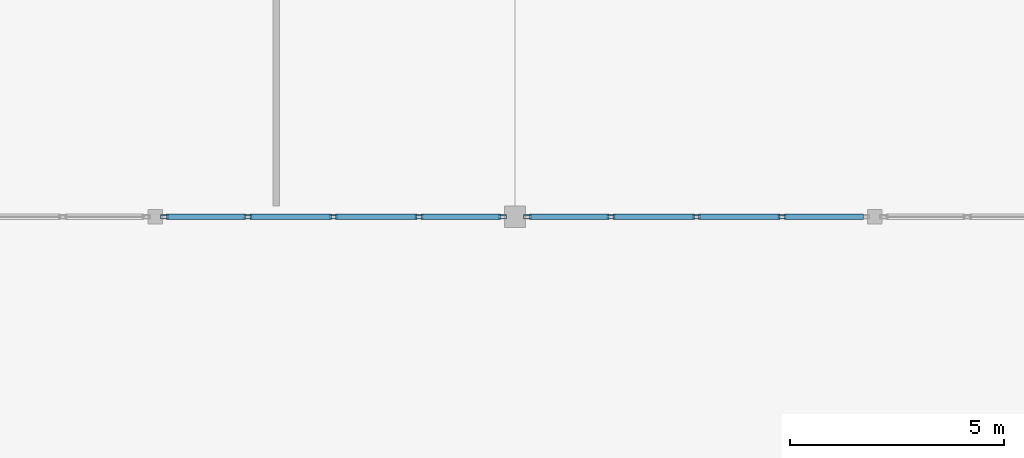
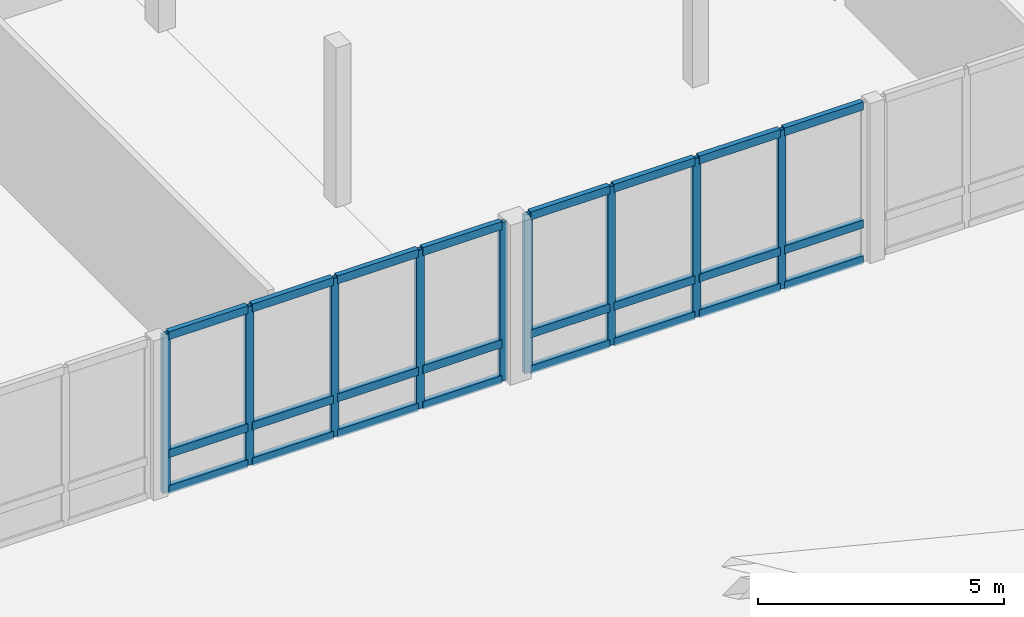
# One storey, part 42 of 217: 33 members, 2 elements without a shape of their own.
"""IFC4 building model written with IfcOpenShell, lengths in metres."""

from ifc_helpers import new_model, si_unit, direction, frame, origin, origin_2d, place, context, subcontext, project, spatial, hollow_rectangle, extrude, material, layer, layer_set, material_profile, profile_set, type_object, element, aggregate, save


model = new_model("IFC4")

# Units and contexts
model_context = context("Model", 3, precision=1e-05, world=origin(), true_north=direction((0.0, 1.0)))
body_context = subcontext(model_context, "Body", "Model", "MODEL_VIEW")
ifc_project = project(units=[si_unit("LENGTHUNIT", "METRE"), si_unit("AREAUNIT", "SQUARE_METRE"), si_unit("VOLUMEUNIT", "CUBIC_METRE"), si_unit("PLANEANGLEUNIT", "RADIAN"), si_unit("MASSUNIT", "GRAM", prefix="KILO")], contexts=[model_context])

# Site, building, storey
site_placement = place(None, origin())
site = spatial("IfcSite", under=ifc_project, at=site_placement, CompositionType="ELEMENT")
building_placement = place(site_placement, origin())
building = spatial("IfcBuilding", under=site, at=building_placement, Name="Mazaris Harbour Polytechnic", CompositionType="ELEMENT")
storey_placement = place(building_placement, frame((0.0, 0.0, 9.60009765625)))
storey = spatial("IfcBuildingStorey", under=building, at=storey_placement, Name="L02", CompositionType="ELEMENT", Elevation=9.60009765625)

# Curtain wall, members
ifc_material_1 = material(Name="Anodised Bronze Aluminium and Low-E Glass", Category="aluminium")
ifc_layer = layer(ifc_material_1, 0.179931640625, Name="Anodised Bronze Aluminium and Low-E Glass")
ifc_layer_set = layer_set([ifc_layer], Name="Anodised Bronze Aluminium and Low-E Glass")
curtain_wall_type = type_object("IfcCurtainWallType", Name="Harbour Colonnade Curtain Wall", PredefinedType="NOTDEFINED", material=ifc_layer_set)
curtain_wall_1_placement = place(storey_placement, origin())
curtain_wall_1 = element("IfcCurtainWall", 1, at=curtain_wall_1_placement, inside=storey, type_object=curtain_wall_type, Name="V3 L02 Curtain Wall 82", PredefinedType="NOTDEFINED")
ifc_material_2 = material(Name="Anodised Bronze Steel S355", Category="steel")
ifc_material_profile_1 = material_profile(ifc_material_2, hollow_rectangle(XDim=0.10009765625, YDim=0.179931640625, WallThickness=0.008056640625, at=origin_2d()), Name="RHS 100x180x8.0")
ifc_profile_set_1 = profile_set([ifc_material_profile_1], Name="Anodised Bronze Steel S355")
member_type_1 = type_object("IfcMemberType", Name="Curtain Mullion RHS100x180", PredefinedType="MULLION", material=ifc_profile_set_1)
member_1_placement = place(storey_placement, frame((87.30810546875, 14.39990234375, 0.0), z_axis=(0.0, 0.0, 1.0), x_axis=(0.0, -1.0, 0.0)))
member_1 = element("IfcMember", 2, at=member_1_placement, type_object=member_type_1, Name="CW-01 mullion 1", PredefinedType="MULLION", context=body_context, shape_type="SweptSolid", body=[
    extrude(hollow_rectangle(XDim=0.10009765625, YDim=0.179931640625, WallThickness=0.008056640625, at=origin_2d()), origin(), (0.0, 0.0, 1.0), 3.934814453125),
])
member_2_placement = place(storey_placement, frame((85.35888671875, 14.39990234375, 0.0), z_axis=(0.0, 0.0, 1.0), x_axis=(0.0, -1.0, 0.0)))
member_2 = element("IfcMember", 3, at=member_2_placement, type_object=member_type_1, Name="CW-01 mullion 2", PredefinedType="MULLION", context=body_context, shape_type="SweptSolid", body=[
    extrude(hollow_rectangle(XDim=0.10009765625, YDim=0.179931640625, WallThickness=0.008056640625, at=origin_2d()), origin(), (0.0, 0.0, 1.0), 3.934814453125),
])
member_3_placement = place(storey_placement, frame((83.360107421875, 14.39990234375, 0.0), z_axis=(0.0, 0.0, 1.0), x_axis=(0.0, -1.0, 0.0)))
member_3 = element("IfcMember", 4, at=member_3_placement, type_object=member_type_1, Name="CW-01 mullion 3", PredefinedType="MULLION", context=body_context, shape_type="SweptSolid", body=[
    extrude(hollow_rectangle(XDim=0.10009765625, YDim=0.179931640625, WallThickness=0.008056640625, at=origin_2d()), origin(), (0.0, 0.0, 1.0), 3.934814453125),
])
member_4_placement = place(storey_placement, frame((81.361083984375, 14.39990234375, 0.0), z_axis=(0.0, 0.0, 1.0), x_axis=(0.0, -1.0, 0.0)))
member_4 = element("IfcMember", 5, at=member_4_placement, type_object=member_type_1, Name="CW-01 mullion 4", PredefinedType="MULLION", context=body_context, shape_type="SweptSolid", body=[
    extrude(hollow_rectangle(XDim=0.10009765625, YDim=0.179931640625, WallThickness=0.008056640625, at=origin_2d()), origin(), (0.0, 0.0, 1.0), 3.934814453125),
])
member_5_placement = place(storey_placement, frame((79.412109375, 14.39990234375, 0.0), z_axis=(0.0, 0.0, 1.0), x_axis=(0.0, -1.0, 0.0)))
member_5 = element("IfcMember", 6, at=member_5_placement, type_object=member_type_1, Name="CW-01 mullion 5", PredefinedType="MULLION", context=body_context, shape_type="SweptSolid", body=[
    extrude(hollow_rectangle(XDim=0.10009765625, YDim=0.179931640625, WallThickness=0.008056640625, at=origin_2d()), origin(), (0.0, 0.0, 1.0), 3.934814453125),
])

curtain_wall_2_placement = place(storey_placement, origin())
curtain_wall_2 = element("IfcCurtainWall", 7, at=curtain_wall_2_placement, inside=storey, type_object=curtain_wall_type, Name="V3 L02 Curtain Wall 83", PredefinedType="NOTDEFINED")
member_6_placement = place(storey_placement, frame((93.839111328125, 14.39990234375, 0.0), z_axis=(0.0, 0.0, 1.0), x_axis=(0.0, -1.0, 0.0)))
member_6 = element("IfcMember", 8, at=member_6_placement, type_object=member_type_1, Name="CW-01 mullion 2", PredefinedType="MULLION", context=body_context, shape_type="SweptSolid", body=[
    extrude(hollow_rectangle(XDim=0.10009765625, YDim=0.179931640625, WallThickness=0.008056640625, at=origin_2d()), origin(), (0.0, 0.0, 1.0), 3.934814453125),
])
member_7_placement = place(storey_placement, frame((91.840087890625, 14.39990234375, 0.0), z_axis=(0.0, 0.0, 1.0), x_axis=(0.0, -1.0, 0.0)))
member_7 = element("IfcMember", 9, at=member_7_placement, type_object=member_type_1, Name="CW-01 mullion 3", PredefinedType="MULLION", context=body_context, shape_type="SweptSolid", body=[
    extrude(hollow_rectangle(XDim=0.10009765625, YDim=0.179931640625, WallThickness=0.008056640625, at=origin_2d()), origin(), (0.0, 0.0, 1.0), 3.934814453125),
])
member_8_placement = place(storey_placement, frame((89.841064453125, 14.39990234375, 0.0), z_axis=(0.0, 0.0, 1.0), x_axis=(0.0, -1.0, 0.0)))
member_8 = element("IfcMember", 10, at=member_8_placement, type_object=member_type_1, Name="CW-01 mullion 4", PredefinedType="MULLION", context=body_context, shape_type="SweptSolid", body=[
    extrude(hollow_rectangle(XDim=0.10009765625, YDim=0.179931640625, WallThickness=0.008056640625, at=origin_2d()), origin(), (0.0, 0.0, 1.0), 3.934814453125),
])
member_9_placement = place(storey_placement, frame((87.89208984375, 14.39990234375, 0.0), z_axis=(0.0, 0.0, 1.0), x_axis=(0.0, -1.0, 0.0)))
member_9 = element("IfcMember", 11, at=member_9_placement, type_object=member_type_1, Name="CW-01 mullion 5", PredefinedType="MULLION", context=body_context, shape_type="SweptSolid", body=[
    extrude(hollow_rectangle(XDim=0.10009765625, YDim=0.179931640625, WallThickness=0.008056640625, at=origin_2d()), origin(), (0.0, 0.0, 1.0), 3.934814453125),
])

# Member
ifc_material_3 = material(Name="Anodised Bronze Steel S355", Category="steel")
ifc_material_profile_2 = material_profile(ifc_material_3, hollow_rectangle(XDim=0.1201171875, YDim=0.199951171875, WallThickness=0.008056640625, at=origin_2d()), Name="RHS 120x200x8.0")
ifc_profile_set_2 = profile_set([ifc_material_profile_2], Name="Anodised Bronze Steel S355")
member_type_2 = type_object("IfcMemberType", Name="Curtain Transom RHS120x200", PredefinedType="USERDEFINED", material=ifc_profile_set_2)
member_10_placement = place(storey_placement, frame((87.258056640625, 14.39990234375, 0.059814453125), z_axis=(-1.0, 0.0, 0.0), x_axis=(0.0, -1.0, 0.0)))
member_10 = element("IfcMember", 12, at=member_10_placement, type_object=member_type_2, Name="CW-01 transom 1.1", ObjectType="TRANSOM", PredefinedType="USERDEFINED", context=body_context, shape_type="SweptSolid", body=[
    extrude(hollow_rectangle(XDim=0.1201171875, YDim=0.199951171875, WallThickness=0.008056640625, at=origin_2d()), origin(), (0.0, 0.0, 1.0), 1.84912109375),
])

member_11_placement = place(storey_placement, frame((87.258056640625, 14.39990234375, 0.949951171875), z_axis=(-1.0, 0.0, 0.0), x_axis=(0.0, -1.0, 0.0)))
member_11 = element("IfcMember", 13, at=member_11_placement, type_object=member_type_2, Name="CW-01 transom 1.2", ObjectType="TRANSOM", PredefinedType="USERDEFINED", context=body_context, shape_type="SweptSolid", body=[
    extrude(hollow_rectangle(XDim=0.1201171875, YDim=0.199951171875, WallThickness=0.008056640625, at=origin_2d()), origin(), (0.0, 0.0, 1.0), 1.84912109375),
])

member_12_placement = place(storey_placement, frame((87.258056640625, 14.39990234375, 3.875), z_axis=(-1.0, 0.0, 0.0), x_axis=(0.0, -1.0, 0.0)))
member_12 = element("IfcMember", 14, at=member_12_placement, type_object=member_type_2, Name="CW-01 transom 1.3", ObjectType="TRANSOM", PredefinedType="USERDEFINED", context=body_context, shape_type="SweptSolid", body=[
    extrude(hollow_rectangle(XDim=0.1201171875, YDim=0.199951171875, WallThickness=0.008056640625, at=origin_2d()), origin(), (0.0, 0.0, 1.0), 1.84912109375),
])

member_13_placement = place(storey_placement, frame((85.30908203125, 14.39990234375, 0.059814453125), z_axis=(-1.0, 0.0, 0.0), x_axis=(0.0, -1.0, 0.0)))
member_13 = element("IfcMember", 15, at=member_13_placement, type_object=member_type_2, Name="CW-01 transom 2.1", ObjectType="TRANSOM", PredefinedType="USERDEFINED", context=body_context, shape_type="SweptSolid", body=[
    extrude(hollow_rectangle(XDim=0.1201171875, YDim=0.199951171875, WallThickness=0.008056640625, at=origin_2d()), origin(), (0.0, 0.0, 1.0), 1.899169921875),
])

member_14_placement = place(storey_placement, frame((85.30908203125, 14.39990234375, 0.949951171875), z_axis=(-1.0, 0.0, 0.0), x_axis=(0.0, -1.0, 0.0)))
member_14 = element("IfcMember", 16, at=member_14_placement, type_object=member_type_2, Name="CW-01 transom 2.2", ObjectType="TRANSOM", PredefinedType="USERDEFINED", context=body_context, shape_type="SweptSolid", body=[
    extrude(hollow_rectangle(XDim=0.1201171875, YDim=0.199951171875, WallThickness=0.008056640625, at=origin_2d()), origin(), (0.0, 0.0, 1.0), 1.899169921875),
])

member_15_placement = place(storey_placement, frame((85.30908203125, 14.39990234375, 3.875), z_axis=(-1.0, 0.0, 0.0), x_axis=(0.0, -1.0, 0.0)))
member_15 = element("IfcMember", 17, at=member_15_placement, type_object=member_type_2, Name="CW-01 transom 2.3", ObjectType="TRANSOM", PredefinedType="USERDEFINED", context=body_context, shape_type="SweptSolid", body=[
    extrude(hollow_rectangle(XDim=0.1201171875, YDim=0.199951171875, WallThickness=0.008056640625, at=origin_2d()), origin(), (0.0, 0.0, 1.0), 1.899169921875),
])

member_16_placement = place(storey_placement, frame((83.31005859375, 14.39990234375, 0.059814453125), z_axis=(-1.0, 0.0, 0.0), x_axis=(0.0, -1.0, 0.0)))
member_16 = element("IfcMember", 18, at=member_16_placement, type_object=member_type_2, Name="CW-01 transom 3.1", ObjectType="TRANSOM", PredefinedType="USERDEFINED", context=body_context, shape_type="SweptSolid", body=[
    extrude(hollow_rectangle(XDim=0.1201171875, YDim=0.199951171875, WallThickness=0.008056640625, at=origin_2d()), origin(), (0.0, 0.0, 1.0), 1.899169921875),
])

member_17_placement = place(storey_placement, frame((83.31005859375, 14.39990234375, 0.949951171875), z_axis=(-1.0, 0.0, 0.0), x_axis=(0.0, -1.0, 0.0)))
member_17 = element("IfcMember", 19, at=member_17_placement, type_object=member_type_2, Name="CW-01 transom 3.2", ObjectType="TRANSOM", PredefinedType="USERDEFINED", context=body_context, shape_type="SweptSolid", body=[
    extrude(hollow_rectangle(XDim=0.1201171875, YDim=0.199951171875, WallThickness=0.008056640625, at=origin_2d()), origin(), (0.0, 0.0, 1.0), 1.899169921875),
])

member_18_placement = place(storey_placement, frame((83.31005859375, 14.39990234375, 3.875), z_axis=(-1.0, 0.0, 0.0), x_axis=(0.0, -1.0, 0.0)))
member_18 = element("IfcMember", 20, at=member_18_placement, type_object=member_type_2, Name="CW-01 transom 3.3", ObjectType="TRANSOM", PredefinedType="USERDEFINED", context=body_context, shape_type="SweptSolid", body=[
    extrude(hollow_rectangle(XDim=0.1201171875, YDim=0.199951171875, WallThickness=0.008056640625, at=origin_2d()), origin(), (0.0, 0.0, 1.0), 1.899169921875),
])

member_19_placement = place(storey_placement, frame((81.31103515625, 14.39990234375, 0.059814453125), z_axis=(-1.0, 0.0, 0.0), x_axis=(0.0, -1.0, 0.0)))
member_19 = element("IfcMember", 21, at=member_19_placement, type_object=member_type_2, Name="CW-01 transom 4.1", ObjectType="TRANSOM", PredefinedType="USERDEFINED", context=body_context, shape_type="SweptSolid", body=[
    extrude(hollow_rectangle(XDim=0.1201171875, YDim=0.199951171875, WallThickness=0.008056640625, at=origin_2d()), origin(), (0.0, 0.0, 1.0), 1.84912109375),
])

member_20_placement = place(storey_placement, frame((81.31103515625, 14.39990234375, 0.949951171875), z_axis=(-1.0, 0.0, 0.0), x_axis=(0.0, -1.0, 0.0)))
member_20 = element("IfcMember", 22, at=member_20_placement, type_object=member_type_2, Name="CW-01 transom 4.2", ObjectType="TRANSOM", PredefinedType="USERDEFINED", context=body_context, shape_type="SweptSolid", body=[
    extrude(hollow_rectangle(XDim=0.1201171875, YDim=0.199951171875, WallThickness=0.008056640625, at=origin_2d()), origin(), (0.0, 0.0, 1.0), 1.84912109375),
])

member_21_placement = place(storey_placement, frame((81.31103515625, 14.39990234375, 3.875), z_axis=(-1.0, 0.0, 0.0), x_axis=(0.0, -1.0, 0.0)))
member_21 = element("IfcMember", 23, at=member_21_placement, type_object=member_type_2, Name="CW-01 transom 4.3", ObjectType="TRANSOM", PredefinedType="USERDEFINED", context=body_context, shape_type="SweptSolid", body=[
    extrude(hollow_rectangle(XDim=0.1201171875, YDim=0.199951171875, WallThickness=0.008056640625, at=origin_2d()), origin(), (0.0, 0.0, 1.0), 1.84912109375),
])

aggregate(curtain_wall_1, [member_1, member_2, member_3, member_4, member_5, member_10, member_11, member_12, member_13, member_14, member_15, member_16, member_17, member_18, member_19, member_20, member_21])

member_22_placement = place(storey_placement, frame((95.738037109375, 14.39990234375, 0.059814453125), z_axis=(-1.0, 0.0, 0.0), x_axis=(0.0, -1.0, 0.0)))
member_22 = element("IfcMember", 24, at=member_22_placement, type_object=member_type_2, Name="CW-01 transom 1.1", ObjectType="TRANSOM", PredefinedType="USERDEFINED", context=body_context, shape_type="SweptSolid", body=[
    extrude(hollow_rectangle(XDim=0.1201171875, YDim=0.199951171875, WallThickness=0.008056640625, at=origin_2d()), origin(), (0.0, 0.0, 1.0), 1.84912109375),
])

member_23_placement = place(storey_placement, frame((95.738037109375, 14.39990234375, 0.949951171875), z_axis=(-1.0, 0.0, 0.0), x_axis=(0.0, -1.0, 0.0)))
member_23 = element("IfcMember", 25, at=member_23_placement, type_object=member_type_2, Name="CW-01 transom 1.2", ObjectType="TRANSOM", PredefinedType="USERDEFINED", context=body_context, shape_type="SweptSolid", body=[
    extrude(hollow_rectangle(XDim=0.1201171875, YDim=0.199951171875, WallThickness=0.008056640625, at=origin_2d()), origin(), (0.0, 0.0, 1.0), 1.84912109375),
])

member_24_placement = place(storey_placement, frame((95.738037109375, 14.39990234375, 3.875), z_axis=(-1.0, 0.0, 0.0), x_axis=(0.0, -1.0, 0.0)))
member_24 = element("IfcMember", 26, at=member_24_placement, type_object=member_type_2, Name="CW-01 transom 1.3", ObjectType="TRANSOM", PredefinedType="USERDEFINED", context=body_context, shape_type="SweptSolid", body=[
    extrude(hollow_rectangle(XDim=0.1201171875, YDim=0.199951171875, WallThickness=0.008056640625, at=origin_2d()), origin(), (0.0, 0.0, 1.0), 1.84912109375),
])

member_25_placement = place(storey_placement, frame((93.7890625, 14.39990234375, 0.059814453125), z_axis=(-1.0, 0.0, 0.0), x_axis=(0.0, -1.0, 0.0)))
member_25 = element("IfcMember", 27, at=member_25_placement, type_object=member_type_2, Name="CW-01 transom 2.1", ObjectType="TRANSOM", PredefinedType="USERDEFINED", context=body_context, shape_type="SweptSolid", body=[
    extrude(hollow_rectangle(XDim=0.1201171875, YDim=0.199951171875, WallThickness=0.008056640625, at=origin_2d()), origin(), (0.0, 0.0, 1.0), 1.899169921875),
])

member_26_placement = place(storey_placement, frame((93.7890625, 14.39990234375, 0.949951171875), z_axis=(-1.0, 0.0, 0.0), x_axis=(0.0, -1.0, 0.0)))
member_26 = element("IfcMember", 28, at=member_26_placement, type_object=member_type_2, Name="CW-01 transom 2.2", ObjectType="TRANSOM", PredefinedType="USERDEFINED", context=body_context, shape_type="SweptSolid", body=[
    extrude(hollow_rectangle(XDim=0.1201171875, YDim=0.199951171875, WallThickness=0.008056640625, at=origin_2d()), origin(), (0.0, 0.0, 1.0), 1.899169921875),
])

member_27_placement = place(storey_placement, frame((93.7890625, 14.39990234375, 3.875), z_axis=(-1.0, 0.0, 0.0), x_axis=(0.0, -1.0, 0.0)))
member_27 = element("IfcMember", 29, at=member_27_placement, type_object=member_type_2, Name="CW-01 transom 2.3", ObjectType="TRANSOM", PredefinedType="USERDEFINED", context=body_context, shape_type="SweptSolid", body=[
    extrude(hollow_rectangle(XDim=0.1201171875, YDim=0.199951171875, WallThickness=0.008056640625, at=origin_2d()), origin(), (0.0, 0.0, 1.0), 1.899169921875),
])

member_28_placement = place(storey_placement, frame((91.7900390625, 14.39990234375, 0.059814453125), z_axis=(-1.0, 0.0, 0.0), x_axis=(0.0, -1.0, 0.0)))
member_28 = element("IfcMember", 30, at=member_28_placement, type_object=member_type_2, Name="CW-01 transom 3.1", ObjectType="TRANSOM", PredefinedType="USERDEFINED", context=body_context, shape_type="SweptSolid", body=[
    extrude(hollow_rectangle(XDim=0.1201171875, YDim=0.199951171875, WallThickness=0.008056640625, at=origin_2d()), origin(), (0.0, 0.0, 1.0), 1.89892578125),
])

member_29_placement = place(storey_placement, frame((91.7900390625, 14.39990234375, 0.949951171875), z_axis=(-1.0, 0.0, 0.0), x_axis=(0.0, -1.0, 0.0)))
member_29 = element("IfcMember", 31, at=member_29_placement, type_object=member_type_2, Name="CW-01 transom 3.2", ObjectType="TRANSOM", PredefinedType="USERDEFINED", context=body_context, shape_type="SweptSolid", body=[
    extrude(hollow_rectangle(XDim=0.1201171875, YDim=0.199951171875, WallThickness=0.008056640625, at=origin_2d()), origin(), (0.0, 0.0, 1.0), 1.89892578125),
])

member_30_placement = place(storey_placement, frame((91.7900390625, 14.39990234375, 3.875), z_axis=(-1.0, 0.0, 0.0), x_axis=(0.0, -1.0, 0.0)))
member_30 = element("IfcMember", 32, at=member_30_placement, type_object=member_type_2, Name="CW-01 transom 3.3", ObjectType="TRANSOM", PredefinedType="USERDEFINED", context=body_context, shape_type="SweptSolid", body=[
    extrude(hollow_rectangle(XDim=0.1201171875, YDim=0.199951171875, WallThickness=0.008056640625, at=origin_2d()), origin(), (0.0, 0.0, 1.0), 1.89892578125),
])

member_31_placement = place(storey_placement, frame((89.791015625, 14.39990234375, 0.059814453125), z_axis=(-1.0, 0.0, 0.0), x_axis=(0.0, -1.0, 0.0)))
member_31 = element("IfcMember", 33, at=member_31_placement, type_object=member_type_2, Name="CW-01 transom 4.1", ObjectType="TRANSOM", PredefinedType="USERDEFINED", context=body_context, shape_type="SweptSolid", body=[
    extrude(hollow_rectangle(XDim=0.1201171875, YDim=0.199951171875, WallThickness=0.008056640625, at=origin_2d()), origin(), (0.0, 0.0, 1.0), 1.84912109375),
])

member_32_placement = place(storey_placement, frame((89.791015625, 14.39990234375, 0.949951171875), z_axis=(-1.0, 0.0, 0.0), x_axis=(0.0, -1.0, 0.0)))
member_32 = element("IfcMember", 34, at=member_32_placement, type_object=member_type_2, Name="CW-01 transom 4.2", ObjectType="TRANSOM", PredefinedType="USERDEFINED", context=body_context, shape_type="SweptSolid", body=[
    extrude(hollow_rectangle(XDim=0.1201171875, YDim=0.199951171875, WallThickness=0.008056640625, at=origin_2d()), origin(), (0.0, 0.0, 1.0), 1.84912109375),
])

member_33_placement = place(storey_placement, frame((89.791015625, 14.39990234375, 3.875), z_axis=(-1.0, 0.0, 0.0), x_axis=(0.0, -1.0, 0.0)))
member_33 = element("IfcMember", 35, at=member_33_placement, type_object=member_type_2, Name="CW-01 transom 4.3", ObjectType="TRANSOM", PredefinedType="USERDEFINED", context=body_context, shape_type="SweptSolid", body=[
    extrude(hollow_rectangle(XDim=0.1201171875, YDim=0.199951171875, WallThickness=0.008056640625, at=origin_2d()), origin(), (0.0, 0.0, 1.0), 1.84912109375),
])

aggregate(curtain_wall_2, [member_6, member_7, member_8, member_9, member_22, member_23, member_24, member_25, member_26, member_27, member_28, member_29, member_30, member_31, member_32, member_33])

save(model, "model.ifc")
